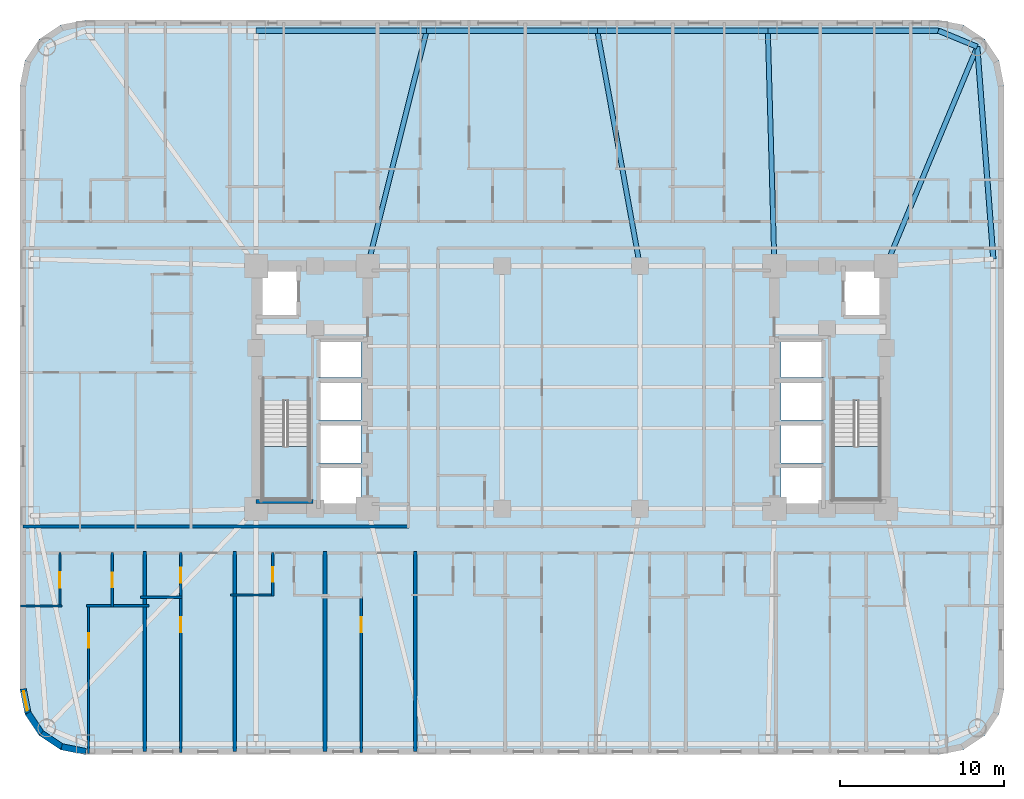
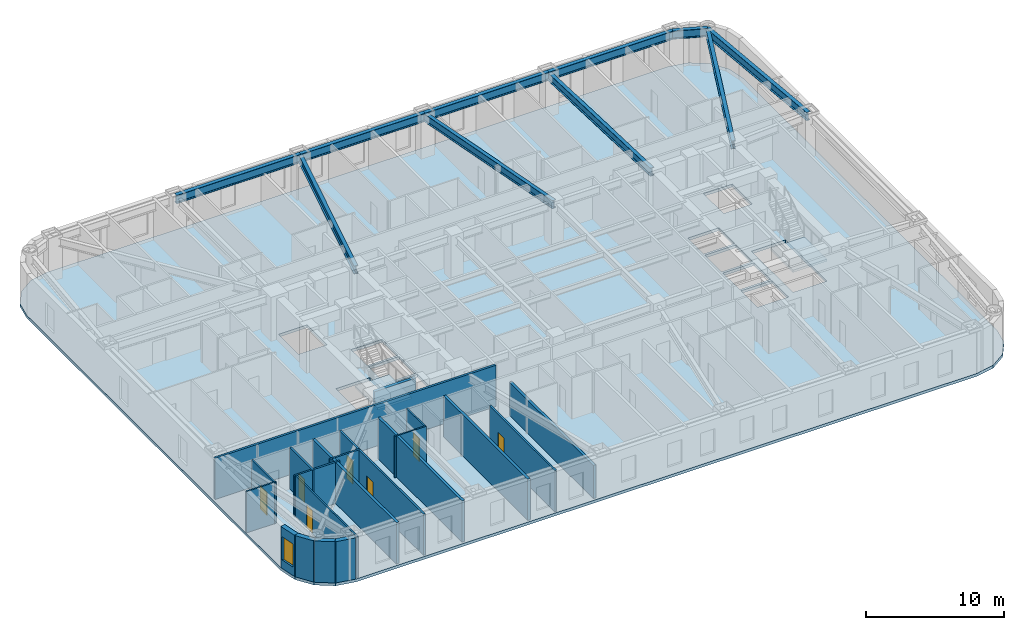
# One storey, part 2 of 11: 21 walls, 10 beams, 7 doors, 3 slabs, 1 window, 8 openings, 2 elements without a shape of their own.
"""IFC4 building model written with IfcOpenShell, lengths in metres."""

from ifc_helpers import new_model, si_unit, direction, frame, frame_2d, origin, origin_2d, place, context, subcontext, project, spatial, polyline, rectangle, i_section, outline, extrude, material, layer, layer_set, material_profile, profile_set, type_object, element, fill, aggregate, save


model = new_model("IFC4")

# Units and contexts
model_context = context("Model", 3, precision=1e-05, world=origin(), true_north=direction((0.0, 1.0)))
body_context = subcontext(model_context, "Body", "Model", "MODEL_VIEW")
ifc_project = project(units=[si_unit("LENGTHUNIT", "METRE"), si_unit("AREAUNIT", "SQUARE_METRE"), si_unit("VOLUMEUNIT", "CUBIC_METRE"), si_unit("PLANEANGLEUNIT", "RADIAN"), si_unit("MASSUNIT", "GRAM", prefix="KILO")], contexts=[model_context])

# Site, building, storey
site_placement = place(None, origin())
site = spatial("IfcSite", under=ifc_project, at=site_placement, CompositionType="ELEMENT")
building_placement = place(site_placement, origin())
building = spatial("IfcBuilding", under=site, at=building_placement, Name="Voryun Gate Residences", CompositionType="ELEMENT")
storey_placement = place(building_placement, frame((0.0, 0.0, 68.89990234375)))
storey = spatial("IfcBuildingStorey", under=building, at=storey_placement, Name="L16", CompositionType="ELEMENT", Elevation=68.89990234375)

# Beams
ifc_material_1 = material(Name="Steel SM355", Category="steel")
ifc_material_profile_1 = material_profile(ifc_material_1, i_section(OverallWidth=0.320068359375, OverallDepth=0.75, WebThickness=0.01611328125, FlangeThickness=0.028076171875, FilletRadius=0.01806640625, at=origin_2d()), Name="H-750x320x16x28")
ifc_profile_set_1 = profile_set([ifc_material_profile_1], Name="Steel SM355")
beam_type_1 = type_object("IfcBeamType", Name="BM_EXO_SPANDREL_L", PredefinedType="SPANDREL", material=ifc_profile_set_1)
beam_1_placement = place(storey_placement, frame((25.75, 7.830078125, 3.275146484375), z_axis=(-0.075617360159, 0.997136908776, 0.0), x_axis=(-0.997136908776, -0.075617360159, 0.0)))
element("IfcBeam", 1, at=beam_1_placement, inside=storey, type_object=beam_type_1, Name="BM-L16-SPAND-09", PredefinedType="SPANDREL", context=body_context, shape_type="SweptSolid", body=[
    extrude(i_section(OverallWidth=0.320068359375, OverallDepth=0.75, WebThickness=0.01611328125, FlangeThickness=0.028076171875, FilletRadius=0.01806640625, at=origin_2d()), origin(), (0.0, 0.0, 1.0), 12.975830078125),
])
beam_2_placement = place(storey_placement, frame((24.768798828125, 20.768798828125, 3.275146484375), z_axis=(-0.923883376753, 0.382674151414, 0.0), x_axis=(-0.382674151414, -0.923883376753, 0.0)))
element("IfcBeam", 2, at=beam_2_placement, inside=storey, type_object=beam_type_1, Name="BM-L16-SPAND-10", PredefinedType="SPANDREL", context=body_context, shape_type="SweptSolid", body=[
    extrude(i_section(OverallWidth=0.320068359375, OverallDepth=0.75, WebThickness=0.01611328125, FlangeThickness=0.028076171875, FilletRadius=0.01806640625, at=origin_2d()), origin(), (0.0, 0.0, 1.0), 2.56396484375),
])
for number, where, z_axis, x_axis, name in (
    (3, (22.39990234375, 21.75, 3.275146484375), (-1.0, 0.0, 0.0), (0.0, -1.0, 0.0), "BM-L16-SPAND-11"),
    (4, (12.0, 21.75, 3.275146484375), (-1.0, 0.0, 0.0), (0.0, -1.0, 0.0), "BM-L16-SPAND-12"),
):
    element("IfcBeam", number, at=place(storey_placement, frame(where, z_axis=z_axis, x_axis=x_axis)), inside=storey, type_object=beam_type_1, Name=name, PredefinedType="SPANDREL", context=body_context, shape_type="SweptSolid", body=[
        extrude(i_section(OverallWidth=0.320068359375, OverallDepth=0.75, WebThickness=0.01611328125, FlangeThickness=0.028076171875, FilletRadius=0.01806640625, at=origin_2d()), origin(), (0.0, 0.0, 1.0), 10.39990234375),
    ])
beam_3_placement = place(storey_placement, frame((1.60009765625, 21.75, 3.275146484375), z_axis=(-1.0, 0.0, 0.0), x_axis=(0.0, -1.0, 0.0)))
element("IfcBeam", 5, at=beam_3_placement, inside=storey, type_object=beam_type_1, Name="BM-L16-SPAND-13", PredefinedType="SPANDREL", context=body_context, shape_type="SweptSolid", body=[
    extrude(i_section(OverallWidth=0.320068359375, OverallDepth=0.75, WebThickness=0.01611328125, FlangeThickness=0.028076171875, FilletRadius=0.01806640625, at=origin_2d()), origin(), (0.0, 0.0, 1.0), 10.400146484375),
])
beam_4_placement = place(storey_placement, frame((-8.800048828125, 21.75, 3.275146484375), z_axis=(-1.0, 0.0, 0.0), x_axis=(0.0, -1.0, 0.0)))
element("IfcBeam", 6, at=beam_4_placement, inside=storey, type_object=beam_type_1, Name="BM-L16-SPAND-14", PredefinedType="SPANDREL", context=body_context, shape_type="SweptSolid", body=[
    extrude(i_section(OverallWidth=0.320068359375, OverallDepth=0.75, WebThickness=0.01611328125, FlangeThickness=0.028076171875, FilletRadius=0.01806640625, at=origin_2d()), origin(), (0.0, 0.0, 1.0), 10.39990234375),
])
ifc_material_2 = material(Name="Steel SM355", Category="steel")
ifc_material_profile_2 = material_profile(ifc_material_2, i_section(OverallWidth=0.300048828125, OverallDepth=0.699951171875, WebThickness=0.012939453125, FlangeThickness=0.02392578125, FilletRadius=0.01806640625, at=origin_2d()), Name="H-700x300x13x24")
ifc_profile_set_2 = profile_set([ifc_material_profile_2], Name="Steel SM355")
beam_type_2 = type_object("IfcBeamType", Name="BM_GIRD_700", PredefinedType="USERDEFINED", material=ifc_profile_set_2)
beam_5_placement = place(storey_placement, frame((19.199951171875, 7.39990234375, 3.300048828125), z_axis=(0.384525607719, 0.923114324993, 0.0), x_axis=(-0.923114324993, 0.384525607719, 0.0)))
element("IfcBeam", 7, at=beam_5_placement, inside=storey, type_object=beam_type_2, Name="BM-L16-RAD-CNE", ObjectType="GIRDER", PredefinedType="USERDEFINED", context=body_context, shape_type="SweptSolid", body=[
    extrude(i_section(OverallWidth=0.300048828125, OverallDepth=0.699951171875, WebThickness=0.012939453125, FlangeThickness=0.02392578125, FilletRadius=0.01806640625, at=origin_2d()), origin(), (0.0, 0.0, 1.0), 14.482421875),
])
beam_6_placement = place(storey_placement, frame((12.39990234375, 7.39990234375, 3.300048828125), z_axis=(-0.0278567548, 0.999611925305, 0.0), x_axis=(-0.999611925305, -0.0278567548, 0.0)))
element("IfcBeam", 8, at=beam_6_placement, inside=storey, type_object=beam_type_2, Name="BM-L16-RAD-N2", ObjectType="GIRDER", PredefinedType="USERDEFINED", context=body_context, shape_type="SweptSolid", body=[
    extrude(i_section(OverallWidth=0.300048828125, OverallDepth=0.699951171875, WebThickness=0.012939453125, FlangeThickness=0.02392578125, FilletRadius=0.01806640625, at=origin_2d()), origin(), (0.0, 0.0, 1.0), 14.355712890625),
])
beam_7_placement = place(storey_placement, frame((4.199951171875, 7.39990234375, 3.300048828125), z_axis=(-0.178271088758, 0.983981411874, 0.0), x_axis=(-0.983981411874, -0.178271088758, 0.0)))
element("IfcBeam", 9, at=beam_7_placement, inside=storey, type_object=beam_type_2, Name="BM-L16-RAD-N3", ObjectType="GIRDER", PredefinedType="USERDEFINED", context=body_context, shape_type="SweptSolid", body=[
    extrude(i_section(OverallWidth=0.300048828125, OverallDepth=0.699951171875, WebThickness=0.012939453125, FlangeThickness=0.02392578125, FilletRadius=0.01806640625, at=origin_2d()), origin(), (0.0, 0.0, 1.0), 14.583740234375),
])
beam_8_placement = place(storey_placement, frame((-12.39990234375, 7.39990234375, 3.300048828125), z_axis=(0.243319869291, 0.969946102218, 0.0), x_axis=(-0.969946102218, 0.243319869291, 0.0)))
element("IfcBeam", 10, at=beam_8_placement, inside=storey, type_object=beam_type_2, Name="BM-L16-RAD-N4", ObjectType="GIRDER", PredefinedType="USERDEFINED", context=body_context, shape_type="SweptSolid", body=[
    extrude(i_section(OverallWidth=0.300048828125, OverallDepth=0.699951171875, WebThickness=0.012939453125, FlangeThickness=0.02392578125, FilletRadius=0.01806640625, at=origin_2d()), origin(), (0.0, 0.0, 1.0), 14.794677734375),
])

# Slab
ifc_material_3 = material(Name="Concrete C40/50", Category="concrete")
ifc_layer_1 = layer(ifc_material_3, 0.25, Name="SLB_RES_250")
ifc_layer_set_1 = layer_set([ifc_layer_1], Name="Concrete C40/50")
slab_type_1 = type_object("IfcSlabType", Name="SLB_RES_250", PredefinedType="FLOOR", material=ifc_layer_set_1)
slab_1_placement = place(storey_placement, frame((0.0, 0.0, -0.25)))
element("IfcSlab", 11, at=slab_1_placement, inside=storey, type_object=slab_type_1, Name="L16 Structural Floor Slab", PredefinedType="FLOOR", context=body_context, shape_type="SweptSolid", body=[
    extrude(outline(polyline([(-29.60009765625, -22.39990234375), (-31.130615234375, -22.095458984375), (-32.428466796875, -21.228515625), (-33.29541015625, -19.9306640625), (-33.60009765625, -18.39990234375), (-33.60009765625, 18.39990234375), (-33.29541015625, 19.9306640625), (-32.428466796875, 21.228515625), (-31.130615234375, 22.095458984375), (-29.60009765625, 22.39990234375), (22.39990234375, 22.39990234375), (23.9306640625, 22.095458984375), (25.228515625, 21.228515625), (26.095458984375, 19.9306640625), (26.39990234375, 18.39990234375), (26.39990234375, -18.39990234375), (26.095458984375, -19.9306640625), (25.228515625, -21.228515625), (23.9306640625, -22.095458984375), (22.39990234375, -22.39990234375), (-29.60009765625, -22.39990234375)]), holes=[polyline([(-12.800048828125, -4.800048828125), (-15.39990234375, -4.800048828125), (-15.39990234375, -7.199951171875), (-12.800048828125, -7.199951171875), (-12.800048828125, -4.800048828125)]), polyline([(-18.824951171875, -6.85009765625), (-15.97509765625, -6.85009765625), (-15.97509765625, -0.840087890625), (-18.824951171875, -0.840087890625), (-18.824951171875, -6.85009765625)]), polyline([(-12.800048828125, -4.60009765625), (-12.800048828125, -2.199951171875), (-15.39990234375, -2.199951171875), (-15.39990234375, -4.60009765625), (-12.800048828125, -4.60009765625)]), polyline([(-12.800048828125, 0.39990234375), (-15.39990234375, 0.39990234375), (-15.39990234375, -2.0), (-12.800048828125, -2.0), (-12.800048828125, 0.39990234375)]), polyline([(-12.800048828125, 0.60009765625), (-12.800048828125, 2.89990234375), (-15.39990234375, 2.89990234375), (-15.39990234375, 0.60009765625), (-12.800048828125, 0.60009765625)]), polyline([(-16.60009765625, 4.300048828125), (-16.60009765625, 7.199951171875), (-19.0, 7.199951171875), (-19.0, 4.300048828125), (-16.60009765625, 4.300048828125)]), polyline([(15.39990234375, -4.800048828125), (12.800048828125, -4.800048828125), (12.800048828125, -7.199951171875), (15.39990234375, -7.199951171875), (15.39990234375, -4.800048828125)]), polyline([(15.97509765625, -6.85009765625), (18.824951171875, -6.85009765625), (18.824951171875, -0.840087890625), (15.97509765625, -0.840087890625), (15.97509765625, -6.85009765625)]), polyline([(15.39990234375, -4.60009765625), (15.39990234375, -2.199951171875), (12.800048828125, -2.199951171875), (12.800048828125, -4.60009765625), (15.39990234375, -4.60009765625)]), polyline([(15.39990234375, 0.39990234375), (12.800048828125, 0.39990234375), (12.800048828125, -2.0), (15.39990234375, -2.0), (15.39990234375, 0.39990234375)]), polyline([(15.39990234375, 0.60009765625), (15.39990234375, 2.89990234375), (12.800048828125, 2.89990234375), (12.800048828125, 0.60009765625), (15.39990234375, 0.60009765625)]), polyline([(19.0, 4.300048828125), (19.0, 7.199951171875), (16.60009765625, 7.199951171875), (16.60009765625, 4.300048828125), (19.0, 4.300048828125)])]), origin(), (0.0, 0.0, 1.0), 0.25),
])

# Stair, slab
ifc_material_4 = material(Name="Concrete C40/50", Category="concrete")
stair_type = type_object("IfcStairType", Name="STR_CORE_DOGLEG_1350", PredefinedType="HALF_TURN_STAIR", material=ifc_material_4)
stair_1_placement = place(storey_placement, origin())
stair_1 = element("IfcStair", 12, at=stair_1_placement, inside=storey, type_object=stair_type, Name="L16 Special Escape Stair ST-W1", PredefinedType="HALF_TURN_STAIR")
ifc_material_5 = material(Name="Concrete C40/50", Category="concrete")
ifc_layer_2 = layer(ifc_material_5, 0.199951171875, Name="SLB_STAIR_LANDING_200")
ifc_layer_set_2 = layer_set([ifc_layer_2], Name="Concrete C40/50")
slab_type_2 = type_object("IfcSlabType", Name="SLB_STAIR_LANDING_200", PredefinedType="LANDING", material=ifc_layer_set_2)
slab_2_placement = place(storey_placement, frame((0.0, 0.0, 1.75)))
slab_2 = element("IfcSlab", 13, at=slab_2_placement, type_object=slab_type_2, Name="ST-W1 landing 1", PredefinedType="LANDING", context=body_context, shape_type="SweptSolid", body=[
    extrude(outline(polyline([(-18.824951171875, -3.60009765625), (-18.824951171875, -6.85009765625), (-15.97509765625, -6.85009765625), (-15.97509765625, -3.60009765625), (-18.824951171875, -3.60009765625)])), origin(), (0.0, 0.0, 1.0), 0.2001953125),
])
aggregate(stair_1, [slab_2])

stair_2_placement = place(storey_placement, origin())
stair_2 = element("IfcStair", 14, at=stair_2_placement, inside=storey, type_object=stair_type, Name="L16 Special Escape Stair ST-E1", PredefinedType="HALF_TURN_STAIR")
slab_3_placement = place(storey_placement, frame((0.0, 0.0, 1.75)))
slab_3 = element("IfcSlab", 15, at=slab_3_placement, type_object=slab_type_2, Name="ST-E1 landing 1", PredefinedType="LANDING", context=body_context, shape_type="SweptSolid", body=[
    extrude(outline(polyline([(15.97509765625, -3.60009765625), (15.97509765625, -6.85009765625), (18.824951171875, -6.85009765625), (18.824951171875, -3.60009765625), (15.97509765625, -3.60009765625)])), origin(), (0.0, 0.0, 1.0), 0.2001953125),
])
aggregate(stair_2, [slab_3])

# Walls
ifc_material_6 = material(Name="Gypsum acoustic fireboard")
ifc_layer_3 = layer(ifc_material_6, 0.179931640625, Name="W_CORR_RATED_180")
ifc_layer_set_3 = layer_set([ifc_layer_3], Name="Gypsum acoustic fireboard")
wall_type_1 = type_object("IfcWallType", Name="W_CORR_RATED_180", PredefinedType="PARTITIONING", material=ifc_layer_set_3)
wall_1_placement = place(storey_placement, frame((-33.409912109375, -8.489990234375, 0.0), z_axis=(0.0, 0.0, 1.0), x_axis=(1.0, 0.0, 0.0)))
element("IfcWall", 16, at=wall_1_placement, inside=storey, type_object=wall_type_1, Name="Partition wall WP-L16-CWING-WS", PredefinedType="PARTITIONING", context=body_context, shape_type="SweptSolid", body=[
    extrude(rectangle(XDim=23.530029296875, YDim=0.179931640625, at=frame_2d((11.76513671875, 0.0))), origin(), (0.0, 0.0, 1.0), 3.650146484375),
])
ifc_material_7 = material(Name="Granite masonry", Category="masonry")
ifc_layer_4 = layer(ifc_material_7, 0.3798828125, Name="W_EXT_GRANITE_380")
ifc_layer_set_4 = layer_set([ifc_layer_4], Name="Granite masonry")
wall_type_2 = type_object("IfcWallType", Name="W_EXT_GRANITE_380", PredefinedType="ELEMENTEDWALL", material=ifc_layer_set_4)
wall_2_placement = place(storey_placement, frame((-29.581298828125, -22.2099609375, 0.0), z_axis=(0.0, 0.0, 1.0), x_axis=(-0.980786132421, 0.195086038585, 0.0)))
element("IfcWall", 17, at=wall_2_placement, inside=storey, type_object=wall_type_2, Name="Exterior wall WEXT-L16-02", PredefinedType="ELEMENTEDWALL", context=body_context, shape_type="SweptSolid", body=[
    extrude(rectangle(XDim=1.504150390625, YDim=0.3798828125, at=frame_2d((0.751953125, 0.0))), origin(), (0.0, 0.0, 1.0), 3.650146484375),
])
wall_3_placement = place(storey_placement, frame((-31.056640625, -21.91650390625, 0.0), z_axis=(0.0, 0.0, 1.0), x_axis=(-0.831442848281, 0.555610286119, 0.0)))
element("IfcWall", 18, at=wall_3_placement, inside=storey, type_object=wall_type_2, Name="Exterior wall WEXT-L16-03", PredefinedType="ELEMENTEDWALL", context=body_context, shape_type="SweptSolid", body=[
    extrude(rectangle(XDim=1.485107421875, YDim=0.3798828125, at=frame_2d((0.74267578125, 0.0))), origin(), (0.0, 0.0, 1.0), 3.650146484375),
])
wall_4_placement = place(storey_placement, frame((-32.29150390625, -21.09130859375, 0.0), z_axis=(0.0, 0.0, 1.0), x_axis=(-0.555572577804, 0.831468045563, 0.0)))
element("IfcWall", 19, at=wall_4_placement, inside=storey, type_object=wall_type_2, Name="Exterior wall WEXT-L16-04", PredefinedType="ELEMENTEDWALL", context=body_context, shape_type="SweptSolid", body=[
    extrude(rectangle(XDim=1.48486328125, YDim=0.3798828125, at=frame_2d((0.742431640625, 0.0))), origin(), (0.0, 0.0, 1.0), 3.650146484375),
])

# Wall, opening, window
wall_5_placement = place(storey_placement, frame((-33.116455078125, -19.856689453125, 0.0), z_axis=(0.0, 0.0, 1.0), x_axis=(-0.195086038585, 0.980786132421, 0.0)))
wall_5 = element("IfcWall", 20, at=wall_5_placement, inside=storey, type_object=wall_type_2, Name="Exterior wall WEXT-L16-05", PredefinedType="ELEMENTEDWALL", context=body_context, shape_type="SweptSolid", body=[
    extrude(rectangle(XDim=1.504150390625, YDim=0.3798828125, at=frame_2d((0.751953125, 0.0))), origin(), (0.0, 0.0, 1.0), 3.650146484375),
])
opening_1_placement = place(wall_5_placement, frame((0.152099609375, 0.0, 0.75)))
opening_1 = element("IfcOpeningElement", 21, at=opening_1_placement, cuts=wall_5, Name="Opening WN6", PredefinedType="OPENING", context=body_context, shape_type="SweptSolid", body=[
    extrude(rectangle(XDim=1.199951171875, YDim=2.050048828125, at=frame_2d((0.60009765625, 1.02490234375))), frame((0.0, 0.199951171875, 0.0), z_axis=(0.0, -1.0, 0.0), x_axis=(1.0, 0.0, 0.0)), (0.0, 0.0, 1.0), 0.39990234375),
])
ifc_material_8 = material(Name="Laminated low-E glass", Category="glass")
window_type = type_object("IfcWindowType", Name="WN_POD_SLOT_1200", PartitioningType="SINGLE_PANEL", PredefinedType="WINDOW", material=ifc_material_8)
window_placement = place(opening_1_placement, origin())
window = element("IfcWindow", 22, at=window_placement, inside=storey, type_object=window_type, Name="Window WN-L16-DWFIX-14", OverallHeight=2.050048828125, OverallWidth=1.199951171875, PartitioningType="SINGLE_PANEL", PredefinedType="WINDOW", context=body_context, shape_type="SweptSolid", body=[
    extrude(rectangle(XDim=1.199951171875, YDim=2.050048828125, at=frame_2d((0.60009765625, 1.02490234375))), frame((0.0, 0.030029296875, 0.0), z_axis=(0.0, -1.0, 0.0), x_axis=(1.0, 0.0, 0.0)), (0.0, 0.0, 1.0), 0.06005859375),
])
fill(opening_1, window)

# Walls
ifc_material_9 = material(Name="Concrete C40/50", Category="concrete")
ifc_layer_5 = layer(ifc_material_9, 0.219970703125, Name="W_PARTY_ACOUSTIC_220")
ifc_layer_set_5 = layer_set([ifc_layer_5], Name="Concrete C40/50")
wall_type_3 = type_object("IfcWallType", Name="W_PARTY_ACOUSTIC_220", PredefinedType="PARTITIONING", material=ifc_layer_set_5)
for number, where, z_axis, x_axis, name in (
    (23, (-26.0, -22.2099609375, 0.0), (0.0, 0.0, 1.0), (0.0, 1.0, 0.0), "Partition wall WP-L16-SPTY-1"),
    (24, (-20.5, -22.2099609375, 0.0), (0.0, 0.0, 1.0), (0.0, 1.0, 0.0), "Partition wall WP-L16-SPTY-2"),
    (25, (-15.0, -22.2099609375, 0.0), (0.0, 0.0, 1.0), (0.0, 1.0, 0.0), "Partition wall WP-L16-SPTY-3"),
):
    element("IfcWall", number, at=place(storey_placement, frame(where, z_axis=z_axis, x_axis=x_axis)), inside=storey, type_object=wall_type_3, Name=name, PredefinedType="PARTITIONING", context=body_context, shape_type="SweptSolid", body=[
        extrude(rectangle(XDim=12.18994140625, YDim=0.219970703125, at=frame_2d((6.094970703125, 0.0))), origin(), (0.0, 0.0, 1.0), 3.650146484375),
    ])
wall_6_placement = place(storey_placement, frame((-9.5, -22.2099609375, 0.0), z_axis=(0.0, 0.0, 1.0), x_axis=(0.0, 1.0, 0.0)))
element("IfcWall", 26, at=wall_6_placement, inside=storey, type_object=wall_type_3, Name="Partition wall WP-L16-SPTY-4", PredefinedType="PARTITIONING", context=body_context, shape_type="SweptSolid", body=[
    extrude(rectangle(XDim=12.18994140625, YDim=0.219970703125, at=frame_2d((6.094970703125, 0.0))), origin(), (0.0, 0.0, 1.0), 2.940185546875),
])
ifc_material_10 = material(Name="Concrete C50/60", Category="concrete")
ifc_layer_6 = layer(ifc_material_10, 0.25, Name="W_SHAFT_RC250")
ifc_layer_set_6 = layer_set([ifc_layer_6], Name="Concrete C50/60")
wall_type_4 = type_object("IfcWallType", Name="W_SHAFT_RC250", PredefinedType="SOLIDWALL", material=ifc_layer_set_6)
wall_7_placement = place(storey_placement, frame((-19.199951171875, -6.965087890625, 0.0), z_axis=(0.0, 0.0, 1.0), x_axis=(1.0, 0.0, 0.0)))
element("IfcWall", 27, at=wall_7_placement, inside=storey, type_object=wall_type_4, Name="L16 Stair shaft structural wall W-STS", PredefinedType="SOLIDWALL", context=body_context, shape_type="SweptSolid", body=[
    extrude(rectangle(XDim=3.4599609375, YDim=0.25, at=frame_2d((1.72998046875, 0.0))), origin(), (0.0, 0.0, 1.0), 3.650146484375),
])

# Wall, opening, door
ifc_material_11 = material(Name="Gypsum acoustic partition")
ifc_layer_7 = layer(ifc_material_11, 0.125, Name="W_UNIT_PART_125")
ifc_layer_set_7 = layer_set([ifc_layer_7], Name="Gypsum acoustic partition")
wall_type_5 = type_object("IfcWallType", Name="W_UNIT_PART_125", PredefinedType="PARTITIONING", material=ifc_layer_set_7)
wall_8_placement = place(storey_placement, frame((-29.409912109375, -22.360107421875, 0.0), z_axis=(0.0, 0.0, 1.0), x_axis=(0.0, 1.0, 0.0)))
wall_8 = element("IfcWall", 28, at=wall_8_placement, inside=storey, type_object=wall_type_5, Name="Partition wall WP-L16-S1-OVR", PredefinedType="PARTITIONING", context=body_context, shape_type="SweptSolid", body=[
    extrude(rectangle(XDim=9.1201171875, YDim=0.125, at=frame_2d((4.56005859375, 0.0))), origin(), (0.0, 0.0, 1.0), 3.650146484375),
])
opening_2_placement = place(wall_8_placement, frame((6.481201171875, 0.0, 0.0)))
opening_2 = element("IfcOpeningElement", 29, at=opening_2_placement, cuts=wall_8, Name="Opening D-INT-2", PredefinedType="OPENING", context=body_context, shape_type="SweptSolid", body=[
    extrude(rectangle(XDim=0.89990234375, YDim=2.050048828125, at=frame_2d((0.449951171875, 1.02490234375))), frame((0.0, 0.072509765625, 0.0), z_axis=(0.0, -1.0, 0.0), x_axis=(1.0, 0.0, 0.0)), (0.0, 0.0, 1.0), 0.14501953125),
])
ifc_material_12 = material(Name="Architectural oak veneer")
door_type_1 = type_object("IfcDoorType", Name="DR_INT_BATH_900", OperationType="NOTDEFINED", PredefinedType="DOOR", material=ifc_material_12)
door_1_placement = place(opening_2_placement, origin())
door_1 = element("IfcDoor", 30, at=door_1_placement, inside=storey, type_object=door_type_1, Name="Door DR-L16-S1-DMB", OperationType="SINGLE_SWING_RIGHT", OverallHeight=2.050048828125, OverallWidth=0.89990234375, PredefinedType="DOOR", context=body_context, shape_type="SweptSolid", body=[
    extrude(rectangle(XDim=0.89990234375, YDim=2.050048828125, at=frame_2d((0.449951171875, 1.02490234375))), frame((0.0, 0.02490234375, 0.0), z_axis=(0.0, -1.0, 0.0), x_axis=(1.0, 0.0, 0.0)), (0.0, 0.0, 1.0), 0.050048828125),
])
fill(opening_2, door_1)

wall_9_placement = place(storey_placement, frame((-31.16796875, -13.39990234375, 0.0), z_axis=(0.0, 0.0, 1.0), x_axis=(0.0, 1.0, 0.0)))
wall_9 = element("IfcWall", 31, at=wall_9_placement, inside=storey, type_object=wall_type_5, Name="Partition wall WP-L16-S1-IVK", PredefinedType="PARTITIONING", context=body_context, shape_type="SweptSolid", body=[
    extrude(rectangle(XDim=3.31982421875, YDim=0.125, at=frame_2d((1.659912109375, 0.0))), origin(), (0.0, 0.0, 1.0), 3.650146484375),
])
opening_3_placement = place(wall_9_placement, frame((1.18505859375, 0.0, 0.0)))
opening_3 = element("IfcOpeningElement", 32, at=opening_3_placement, cuts=wall_9, Name="Opening D-INT-1", PredefinedType="OPENING", context=body_context, shape_type="SweptSolid", body=[
    extrude(rectangle(XDim=0.949951171875, YDim=2.050048828125, at=frame_2d((0.47509765625, 1.02490234375))), frame((0.0, 0.072509765625, 0.0), z_axis=(0.0, -1.0, 0.0), x_axis=(1.0, 0.0, 0.0)), (0.0, 0.0, 1.0), 0.14501953125),
])
ifc_material_13 = material(Name="Architectural oak veneer")
door_type_2 = type_object("IfcDoorType", Name="DR_INT_ROOM_950", OperationType="NOTDEFINED", PredefinedType="DOOR", material=ifc_material_13)
door_2_placement = place(opening_3_placement, origin())
door_2 = element("IfcDoor", 33, at=door_2_placement, inside=storey, type_object=door_type_2, Name="Door DR-L16-S1-DK", OperationType="SINGLE_SWING_LEFT", OverallHeight=2.050048828125, OverallWidth=0.949951171875, PredefinedType="DOOR", context=body_context, shape_type="SweptSolid", body=[
    extrude(rectangle(XDim=0.949951171875, YDim=2.050048828125, at=frame_2d((0.47509765625, 1.02490234375))), frame((0.0, 0.02490234375, 0.0), z_axis=(0.0, -1.0, 0.0), x_axis=(1.0, 0.0, 0.0)), (0.0, 0.0, 1.0), 0.050048828125),
])
fill(opening_3, door_2)

# Wall
wall_10_placement = place(storey_placement, frame((-33.56005859375, -13.320068359375, 0.0), z_axis=(0.0, 0.0, 1.0), x_axis=(1.0, 0.0, 0.0)))
element("IfcWall", 34, at=wall_10_placement, inside=storey, type_object=wall_type_5, Name="Partition wall WP-L16-S1-HZK", PredefinedType="PARTITIONING", context=body_context, shape_type="SweptSolid", body=[
    extrude(rectangle(XDim=2.511962890625, YDim=0.125, at=frame_2d((1.255859375, 0.0))), origin(), (0.0, 0.0, 1.0), 3.650146484375),
])

# Wall, opening, door
wall_11_placement = place(storey_placement, frame((-18.18994140625, -12.72998046875, 0.0), z_axis=(0.0, 0.0, 1.0), x_axis=(0.0, 1.0, 0.0)))
wall_11 = element("IfcWall", 35, at=wall_11_placement, inside=storey, type_object=wall_type_5, Name="Partition wall WP-L16-S3-CVK", PredefinedType="PARTITIONING", context=body_context, shape_type="SweptSolid", body=[
    extrude(rectangle(XDim=2.64990234375, YDim=0.125, at=frame_2d((1.324951171875, 0.0))), origin(), (0.0, 0.0, 1.0), 3.650146484375),
])
opening_4_placement = place(wall_11_placement, frame((0.875, 0.0, 0.0)))
opening_4 = element("IfcOpeningElement", 36, at=opening_4_placement, cuts=wall_11, Name="Opening D-INT-2", PredefinedType="OPENING", context=body_context, shape_type="SweptSolid", body=[
    extrude(rectangle(XDim=0.89990234375, YDim=2.050048828125, at=frame_2d((0.449951171875, 1.02490234375))), frame((0.0, 0.072509765625, 0.0), z_axis=(0.0, -1.0, 0.0), x_axis=(1.0, 0.0, 0.0)), (0.0, 0.0, 1.0), 0.14501953125),
])
door_3_placement = place(opening_4_placement, origin())
door_3 = element("IfcDoor", 37, at=door_3_placement, inside=storey, type_object=door_type_1, Name="Door DR-L16-S3-DK", OperationType="SINGLE_SWING_LEFT", OverallHeight=2.050048828125, OverallWidth=0.89990234375, PredefinedType="DOOR", context=body_context, shape_type="SweptSolid", body=[
    extrude(rectangle(XDim=0.89990234375, YDim=2.050048828125, at=frame_2d((0.449951171875, 1.02490234375))), frame((0.0, 0.02490234375, 0.0), z_axis=(0.0, -1.0, 0.0), x_axis=(1.0, 0.0, 0.0)), (0.0, 0.0, 1.0), 0.050048828125),
])
fill(opening_4, door_3)

# Walls
wall_12_placement = place(storey_placement, frame((-20.760009765625, -12.669921875, 0.0), z_axis=(0.0, 0.0, 1.0), x_axis=(1.0, 0.0, 0.0)))
element("IfcWall", 38, at=wall_12_placement, inside=storey, type_object=wall_type_5, Name="Partition wall WP-L16-S3-CHK", PredefinedType="PARTITIONING", context=body_context, shape_type="SweptSolid", body=[
    extrude(rectangle(XDim=2.630126953125, YDim=0.125, at=frame_2d((1.31494140625, 0.0))), origin(), (0.0, 0.0, 1.0), 3.650146484375),
])
ifc_material_14 = material(Name="Gypsum moisture-resistant partition")
ifc_layer_8 = layer(ifc_material_14, 0.14990234375, Name="W_WET_PLUMB_150")
ifc_layer_set_8 = layer_set([ifc_layer_8], Name="Gypsum moisture-resistant partition")
wall_type_6 = type_object("IfcWallType", Name="W_WET_PLUMB_150", PredefinedType="PLUMBINGWALL", material=ifc_layer_set_8)
wall_13_placement = place(storey_placement, frame((-29.530029296875, -13.320068359375, 0.0), z_axis=(0.0, 0.0, 1.0), x_axis=(1.0, 0.0, 0.0)))
element("IfcWall", 39, at=wall_13_placement, inside=storey, type_object=wall_type_6, Name="Partition wall WP-L16-S1-HZB", PredefinedType="PLUMBINGWALL", context=body_context, shape_type="SweptSolid", body=[
    extrude(rectangle(XDim=3.7900390625, YDim=0.14990234375, at=frame_2d((1.89501953125, 0.0))), origin(), (0.0, 0.0, 1.0), 3.650146484375),
])

# Wall, opening, door
wall_14_placement = place(storey_placement, frame((-27.97998046875, -13.39990234375, 0.0), z_axis=(0.0, 0.0, 1.0), x_axis=(0.0, 1.0, 0.0)))
wall_14 = element("IfcWall", 40, at=wall_14_placement, inside=storey, type_object=wall_type_6, Name="Partition wall WP-L16-S1-IVB", PredefinedType="PLUMBINGWALL", context=body_context, shape_type="SweptSolid", body=[
    extrude(rectangle(XDim=3.31982421875, YDim=0.14990234375, at=frame_2d((1.659912109375, 0.0))), origin(), (0.0, 0.0, 1.0), 3.650146484375),
])
opening_5_placement = place(wall_14_placement, frame((1.2099609375, 0.0, 0.0)))
opening_5 = element("IfcOpeningElement", 41, at=opening_5_placement, cuts=wall_14, Name="Opening D-INT-2", PredefinedType="OPENING", context=body_context, shape_type="SweptSolid", body=[
    extrude(rectangle(XDim=0.89990234375, YDim=2.050048828125, at=frame_2d((0.449951171875, 1.02490234375))), frame((0.0, 0.0849609375, 0.0), z_axis=(0.0, -1.0, 0.0), x_axis=(1.0, 0.0, 0.0)), (0.0, 0.0, 1.0), 0.169921875),
])
door_4_placement = place(opening_5_placement, origin())
door_4 = element("IfcDoor", 42, at=door_4_placement, inside=storey, type_object=door_type_1, Name="Door DR-L16-S1-DB", OperationType="SINGLE_SWING_RIGHT", OverallHeight=2.050048828125, OverallWidth=0.89990234375, PredefinedType="DOOR", context=body_context, shape_type="SweptSolid", body=[
    extrude(rectangle(XDim=0.89990234375, YDim=2.050048828125, at=frame_2d((0.449951171875, 1.02490234375))), frame((0.0, 0.02490234375, 0.0), z_axis=(0.0, -1.0, 0.0), x_axis=(1.0, 0.0, 0.0)), (0.0, 0.0, 1.0), 0.050048828125),
])
fill(opening_5, door_4)

# Wall
wall_15_placement = place(storey_placement, frame((-26.260009765625, -12.800048828125, 0.0), z_axis=(0.0, 0.0, 1.0), x_axis=(1.0, 0.0, 0.0)))
element("IfcWall", 43, at=wall_15_placement, inside=storey, type_object=wall_type_6, Name="Partition wall WP-L16-S2-SKB", PredefinedType="PLUMBINGWALL", context=body_context, shape_type="SweptSolid", body=[
    extrude(rectangle(XDim=2.550048828125, YDim=0.14990234375, at=frame_2d((1.27490234375, 0.0))), origin(), (0.0, 0.0, 1.0), 3.650146484375),
])

# Wall, opening, door
wall_16_placement = place(storey_placement, frame((-23.7900390625, -22.257568359375, 0.0), z_axis=(0.0, 0.0, 1.0), x_axis=(0.0, 1.0, 0.0)))
wall_16 = element("IfcWall", 44, at=wall_16_placement, inside=storey, type_object=wall_type_6, Name="Partition wall WP-L16-S2-SVT1", PredefinedType="PLUMBINGWALL", context=body_context, shape_type="SweptSolid", body=[
    extrude(rectangle(XDim=9.49755859375, YDim=0.14990234375, at=frame_2d((4.748779296875, 0.0))), origin(), (0.0, 0.0, 1.0), 3.650146484375),
])
opening_6_placement = place(wall_16_placement, frame((7.337890625, 0.0, 0.0)))
opening_6 = element("IfcOpeningElement", 45, at=opening_6_placement, cuts=wall_16, Name="Opening D-INT-2", PredefinedType="OPENING", context=body_context, shape_type="SweptSolid", body=[
    extrude(rectangle(XDim=0.89990234375, YDim=2.050048828125, at=frame_2d((0.449951171875, 1.02490234375))), frame((0.0, 0.0849609375, 0.0), z_axis=(0.0, -1.0, 0.0), x_axis=(1.0, 0.0, 0.0)), (0.0, 0.0, 1.0), 0.169921875),
])
door_5_placement = place(opening_6_placement, origin())
door_5 = element("IfcDoor", 46, at=door_5_placement, inside=storey, type_object=door_type_1, Name="Door DR-L16-S2-DK", OperationType="SINGLE_SWING_LEFT", OverallHeight=2.050048828125, OverallWidth=0.89990234375, PredefinedType="DOOR", context=body_context, shape_type="SweptSolid", body=[
    extrude(rectangle(XDim=0.89990234375, YDim=2.050048828125, at=frame_2d((0.449951171875, 1.02490234375))), frame((0.0, 0.02490234375, 0.0), z_axis=(0.0, -1.0, 0.0), x_axis=(1.0, 0.0, 0.0)), (0.0, 0.0, 1.0), 0.050048828125),
])
fill(opening_6, door_5)

wall_17_placement = place(storey_placement, frame((-23.7900390625, -12.840087890625, 0.0), z_axis=(0.0, 0.0, 1.0), x_axis=(0.0, 1.0, 0.0)))
wall_17 = element("IfcWall", 47, at=wall_17_placement, inside=storey, type_object=wall_type_6, Name="Partition wall WP-L16-S2-SVT2", PredefinedType="PLUMBINGWALL", context=body_context, shape_type="SweptSolid", body=[
    extrude(rectangle(XDim=2.760009765625, YDim=0.14990234375, at=frame_2d((1.3798828125, 0.0))), origin(), (0.0, 0.0, 1.0), 3.650146484375),
])
opening_7_placement = place(wall_17_placement, frame((0.929931640625, 0.0, 0.0)))
opening_7 = element("IfcOpeningElement", 48, at=opening_7_placement, cuts=wall_17, Name="Opening D-INT-2", PredefinedType="OPENING", context=body_context, shape_type="SweptSolid", body=[
    extrude(rectangle(XDim=0.89990234375, YDim=2.050048828125, at=frame_2d((0.449951171875, 1.02490234375))), frame((0.0, 0.0849609375, 0.0), z_axis=(0.0, -1.0, 0.0), x_axis=(1.0, 0.0, 0.0)), (0.0, 0.0, 1.0), 0.169921875),
])
door_6_placement = place(opening_7_placement, origin())
door_6 = element("IfcDoor", 49, at=door_6_placement, inside=storey, type_object=door_type_1, Name="Door DR-L16-S2-DB", OperationType="SINGLE_SWING_RIGHT", OverallHeight=2.050048828125, OverallWidth=0.89990234375, PredefinedType="DOOR", context=body_context, shape_type="SweptSolid", body=[
    extrude(rectangle(XDim=0.89990234375, YDim=2.050048828125, at=frame_2d((0.449951171875, 1.02490234375))), frame((0.0, 0.02490234375, 0.0), z_axis=(0.0, -1.0, 0.0), x_axis=(1.0, 0.0, 0.0)), (0.0, 0.0, 1.0), 0.050048828125),
])
fill(opening_7, door_6)

wall_18_placement = place(storey_placement, frame((-12.7900390625, -22.257568359375, 0.0), z_axis=(0.0, 0.0, 1.0), x_axis=(0.0, 1.0, 0.0)))
wall_18 = element("IfcWall", 50, at=wall_18_placement, inside=storey, type_object=wall_type_6, Name="Partition wall WP-L16-S4-SVT1", PredefinedType="PLUMBINGWALL", context=body_context, shape_type="SweptSolid", body=[
    extrude(rectangle(XDim=9.49755859375, YDim=0.14990234375, at=frame_2d((4.748779296875, 0.0))), origin(), (0.0, 0.0, 1.0), 3.650146484375),
])
opening_8_placement = place(wall_18_placement, frame((7.337890625, 0.0, 0.0)))
opening_8 = element("IfcOpeningElement", 51, at=opening_8_placement, cuts=wall_18, Name="Opening D-INT-2", PredefinedType="OPENING", context=body_context, shape_type="SweptSolid", body=[
    extrude(rectangle(XDim=0.89990234375, YDim=2.050048828125, at=frame_2d((0.449951171875, 1.02490234375))), frame((0.0, 0.0849609375, 0.0), z_axis=(0.0, -1.0, 0.0), x_axis=(1.0, 0.0, 0.0)), (0.0, 0.0, 1.0), 0.169921875),
])
door_7_placement = place(opening_8_placement, origin())
door_7 = element("IfcDoor", 52, at=door_7_placement, inside=storey, type_object=door_type_1, Name="Door DR-L16-S4-DK", OperationType="SINGLE_SWING_LEFT", OverallHeight=2.050048828125, OverallWidth=0.89990234375, PredefinedType="DOOR", context=body_context, shape_type="SweptSolid", body=[
    extrude(rectangle(XDim=0.89990234375, YDim=2.050048828125, at=frame_2d((0.449951171875, 1.02490234375))), frame((0.0, 0.02490234375, 0.0), z_axis=(0.0, -1.0, 0.0), x_axis=(1.0, 0.0, 0.0)), (0.0, 0.0, 1.0), 0.050048828125),
])
fill(opening_8, door_7)

save(model, "model.ifc")
